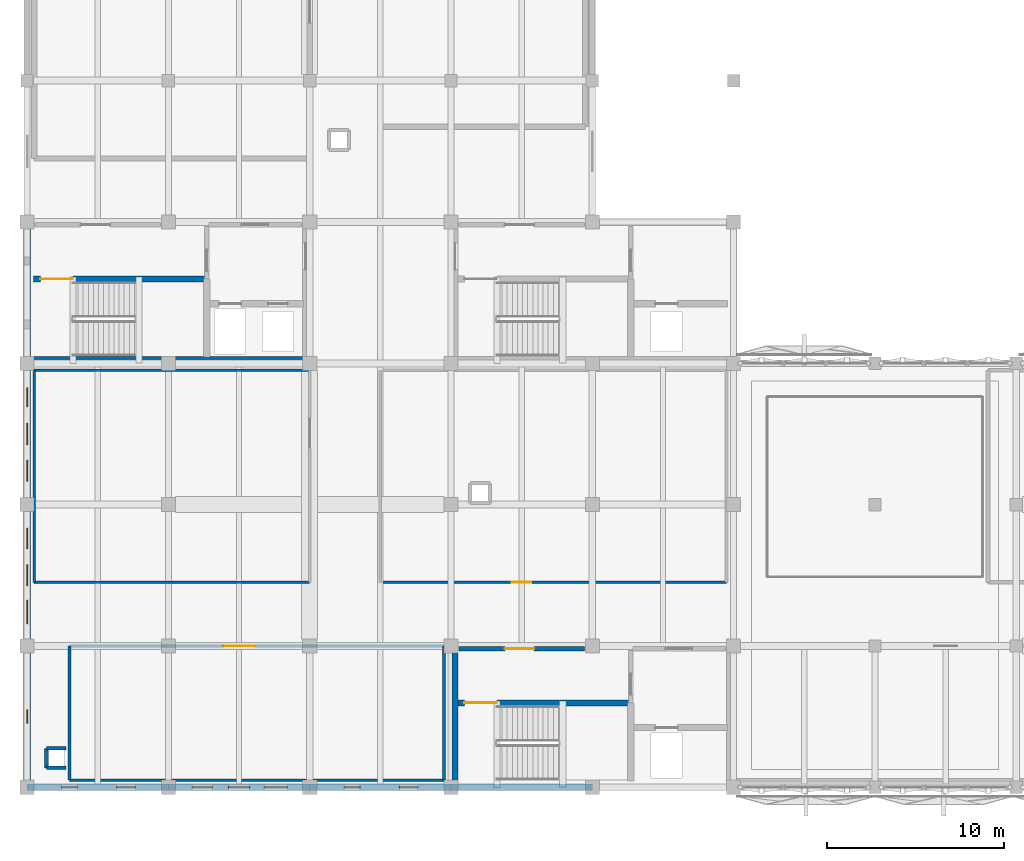
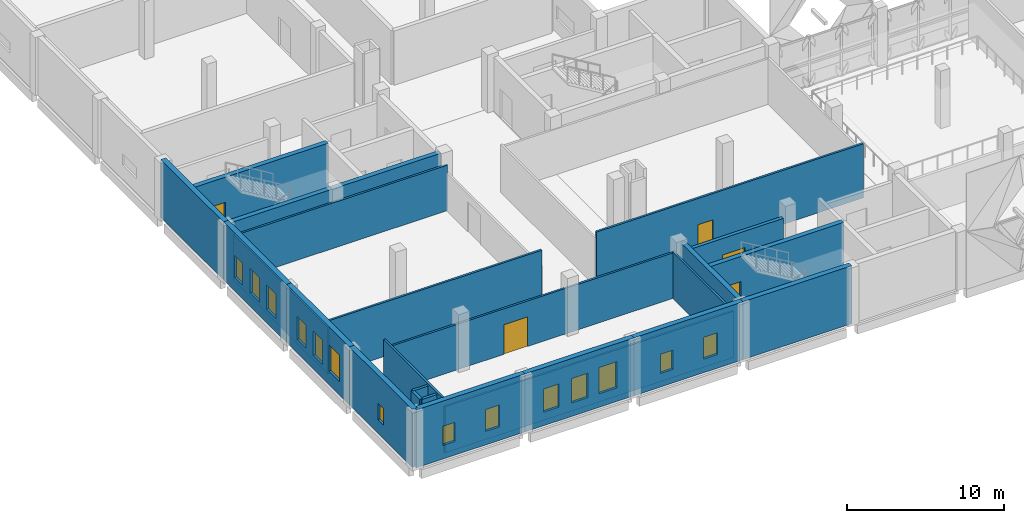
# One storey, part 21 of 37: 24 walls, 14 windows, 5 doors, 19 openings.
"""IFC4 building model written with IfcOpenShell, lengths in metres."""

from ifc_helpers import new_model, si_unit, direction, frame, frame_2d, origin, place, context, subcontext, project, spatial, rectangle, extrude, material, layer, layer_set, type_object, element, fill, save


model = new_model("IFC4")

# Units and contexts
model_context = context("Model", 3, precision=1e-05, world=origin(), true_north=direction((0.0, 1.0)))
body_context = subcontext(model_context, "Body", "Model", "MODEL_VIEW")
ifc_project = project(units=[si_unit("LENGTHUNIT", "METRE"), si_unit("AREAUNIT", "SQUARE_METRE"), si_unit("VOLUMEUNIT", "CUBIC_METRE"), si_unit("PLANEANGLEUNIT", "RADIAN"), si_unit("MASSUNIT", "GRAM", prefix="KILO")], contexts=[model_context])

# Site, building, storey
site_placement = place(None, origin())
site = spatial("IfcSite", under=ifc_project, at=site_placement, CompositionType="ELEMENT")
building_placement = place(site_placement, origin())
building = spatial("IfcBuilding", under=site, at=building_placement, Name="Qorikala Patio Media Centre", CompositionType="ELEMENT")
storey_placement = place(building_placement, frame((0.0, 0.0, 14.39990234375)))
storey = spatial("IfcBuildingStorey", under=building, at=storey_placement, Name="L03", CompositionType="ELEMENT", Elevation=14.39990234375)

# Wall
ifc_material_1 = material(Name="Concrete C35/45", Category="concrete")
ifc_layer_1 = layer(ifc_material_1, 0.35009765625)
ifc_layer_set_1 = layer_set([ifc_layer_1], Name="Concrete C35/45")
wall_type_1 = type_object("IfcWallType", Name="WL-CORE-350", PredefinedType="SHEAR", material=ifc_layer_set_1)
wall_1_placement = place(storey_placement, frame((27.22509765625, 3.199951171875, 0.0), z_axis=(0.0, 0.0, 1.0), x_axis=(0.0, 1.0, 0.0)))
element("IfcWall", 1, at=wall_1_placement, inside=storey, type_object=wall_type_1, Name="L03 Interior Wall CW-L03-C1-SW", PredefinedType="SHEAR", context=body_context, shape_type="SweptSolid", body=[
    extrude(rectangle(XDim=7.60009765625, YDim=0.35009765625, at=frame_2d((3.800048828125, 0.0))), origin(), (0.0, 0.0, 1.0), 4.2001953125),
])

# Wall, opening, door
wall_2_placement = place(storey_placement, frame((27.35009765625, 7.77490234375, 0.0), z_axis=(0.0, 0.0, 1.0), x_axis=(1.0, 0.0, 0.0)))
wall_2 = element("IfcWall", 2, at=wall_2_placement, inside=storey, type_object=wall_type_1, Name="L03 Interior Wall CW-L03-C1-SN", PredefinedType="SHEAR", context=body_context, shape_type="SweptSolid", body=[
    extrude(rectangle(XDim=9.824951171875, YDim=0.35009765625, at=frame_2d((4.91259765625, 0.0))), origin(), (0.0, 0.0, 1.0), 4.2001953125),
])
opening_1_placement = place(wall_2_placement, frame((0.39990234375, 0.0, 0.0)))
opening_1 = element("IfcOpeningElement", 3, at=opening_1_placement, cuts=wall_2, Name="Opening D039", PredefinedType="OPENING", context=body_context, shape_type="SweptSolid", body=[
    extrude(rectangle(XDim=1.85009765625, YDim=2.25, at=frame_2d((0.925048828125, 1.125))), frame((0.0, 0.18505859375, 0.0), z_axis=(0.0, -1.0, 0.0), x_axis=(1.0, 0.0, 0.0)), (0.0, 0.0, 1.0), 0.3701171875),
])
ifc_material_2 = material(Name="Powder-Coated Acoustic Fire Steel", Category="steel")
door_type_1 = type_object("IfcDoorType", Name="DR-FD60-185X225", OperationType="DOUBLE_DOOR_SINGLE_SWING", PredefinedType="DOOR", material=ifc_material_2)
door_1_placement = place(opening_1_placement, origin())
door_1 = element("IfcDoor", 4, at=door_1_placement, inside=storey, type_object=door_type_1, Name="L03 Stair ST-1 Fire Door", OperationType="DOUBLE_DOOR_SINGLE_SWING", OverallHeight=2.25, OverallWidth=1.85009765625, PredefinedType="DOOR", context=body_context, shape_type="SweptSolid", body=[
    extrude(rectangle(XDim=1.85009765625, YDim=2.25, at=frame_2d((0.925048828125, 1.125))), frame((0.0, 0.02490234375, 0.0), z_axis=(0.0, -1.0, 0.0), x_axis=(1.0, 0.0, 0.0)), (0.0, 0.0, 1.0), 0.050048828125),
])
fill(opening_1, door_1)

# Wall
wall_3_placement = place(storey_placement, frame((3.199951171875, 27.22509765625, 0.0), z_axis=(0.0, 0.0, 1.0), x_axis=(1.0, 0.0, 0.0)))
element("IfcWall", 5, at=wall_3_placement, inside=storey, type_object=wall_type_1, Name="L03 Core C2 Stair South Wall", PredefinedType="SHEAR", context=body_context, shape_type="SweptSolid", body=[
    extrude(rectangle(XDim=15.60009765625, YDim=0.35009765625, at=frame_2d((7.800048828125, 0.0))), origin(), (0.0, 0.0, 1.0), 4.2001953125),
])

# Wall, opening, door
wall_4_placement = place(storey_placement, frame((3.35009765625, 31.77490234375, 0.0), z_axis=(0.0, 0.0, 1.0), x_axis=(1.0, 0.0, 0.0)))
wall_4 = element("IfcWall", 6, at=wall_4_placement, inside=storey, type_object=wall_type_1, Name="L03 Interior Wall CW-L03-C2-SN", PredefinedType="SHEAR", context=body_context, shape_type="SweptSolid", body=[
    extrude(rectangle(XDim=9.824951171875, YDim=0.35009765625, at=frame_2d((4.91259765625, 0.0))), origin(), (0.0, 0.0, 1.0), 4.2001953125),
])
opening_2_placement = place(wall_4_placement, frame((0.39990234375, 0.0, 0.0)))
opening_2 = element("IfcOpeningElement", 7, at=opening_2_placement, cuts=wall_4, Name="Opening D075", PredefinedType="OPENING", context=body_context, shape_type="SweptSolid", body=[
    extrude(rectangle(XDim=1.85009765625, YDim=2.25, at=frame_2d((0.925048828125, 1.125))), frame((0.0, 0.18505859375, 0.0), z_axis=(0.0, -1.0, 0.0), x_axis=(1.0, 0.0, 0.0)), (0.0, 0.0, 1.0), 0.3701171875),
])
door_2_placement = place(opening_2_placement, origin())
door_2 = element("IfcDoor", 8, at=door_2_placement, inside=storey, type_object=door_type_1, Name="L03 Stair ST-2 Fire Door", OperationType="DOUBLE_DOOR_SINGLE_SWING", OverallHeight=2.25, OverallWidth=1.85009765625, PredefinedType="DOOR", context=body_context, shape_type="SweptSolid", body=[
    extrude(rectangle(XDim=1.85009765625, YDim=2.25, at=frame_2d((0.925048828125, 1.125))), frame((0.0, 0.02490234375, 0.0), z_axis=(0.0, -1.0, 0.0), x_axis=(1.0, 0.0, 0.0)), (0.0, 0.0, 1.0), 0.050048828125),
])
fill(opening_2, door_2)

ifc_layer_2 = layer(ifc_material_1, 0.25)
ifc_layer_set_2 = layer_set([ifc_layer_2], Name="Concrete C35/45")
wall_type_2 = type_object("IfcWallType", Name="WL-FFL-250", PredefinedType="PARTITIONING", material=ifc_layer_set_2)
wall_5_placement = place(storey_placement, frame((27.449951171875, 10.85009765625, 0.0), z_axis=(0.0, 0.0, 1.0), x_axis=(1.0, 0.0, 0.0)))
wall_5 = element("IfcWall", 9, at=wall_5_placement, inside=storey, type_object=wall_type_2, Name="L03 Interior Wall CW-L03-C1-CN1", PredefinedType="PARTITIONING", context=body_context, shape_type="SweptSolid", body=[
    extrude(rectangle(XDim=7.10009765625, YDim=0.25, at=frame_2d((3.550048828125, 0.0))), origin(), (0.0, 0.0, 1.0), 3.53515625),
])
opening_3_placement = place(wall_5_placement, frame((2.60009765625, 0.0, 0.0)))
opening_3 = element("IfcOpeningElement", 10, at=opening_3_placement, cuts=wall_5, Name="Opening D041", PredefinedType="OPENING", context=body_context, shape_type="SweptSolid", body=[
    extrude(rectangle(XDim=1.64990234375, YDim=2.25, at=frame_2d((0.824951171875, 1.125))), frame((0.0, 0.135009765625, 0.0), z_axis=(0.0, -1.0, 0.0), x_axis=(1.0, 0.0, 0.0)), (0.0, 0.0, 1.0), 0.27001953125),
])
door_type_2 = type_object("IfcDoorType", Name="DR-FD60-165X225", OperationType="DOUBLE_DOOR_SINGLE_SWING", PredefinedType="DOOR", material=ifc_material_2)
door_3_placement = place(opening_3_placement, frame((1.64990234375, 0.0, 0.0), z_axis=(0.0, 0.0, 1.0), x_axis=(-1.0, 0.0, 0.0)))
door_3 = element("IfcDoor", 11, at=door_3_placement, inside=storey, type_object=door_type_2, Name="L03 Core C1 Vestibule Door", OperationType="DOUBLE_DOOR_SINGLE_SWING", OverallHeight=2.25, OverallWidth=1.64990234375, PredefinedType="DOOR", context=body_context, shape_type="SweptSolid", body=[
    extrude(rectangle(XDim=1.64990234375, YDim=2.25, at=frame_2d((0.824951171875, 1.125))), frame((0.0, 0.02490234375, 0.0), z_axis=(0.0, -1.0, 0.0), x_axis=(1.0, 0.0, 0.0)), (0.0, 0.0, 1.0), 0.050048828125),
])
fill(opening_3, door_3)

# Walls
ifc_material_3 = material(Name="Acoustic Gypsum Stud Partition")
ifc_layer_3 = layer(ifc_material_3, 0.14990234375)
ifc_layer_set_3 = layer_set([ifc_layer_3], Name="Acoustic Gypsum Stud Partition")
wall_type_3 = type_object("IfcWallType", Name="WL-PT-150", PredefinedType="PARTITIONING", material=ifc_layer_set_3)
wall_6_placement = place(storey_placement, frame((5.39990234375, 3.39990234375, 0.0), z_axis=(0.0, 0.0, 1.0), x_axis=(1.0, 0.0, 0.0)))
element("IfcWall", 12, at=wall_6_placement, inside=storey, type_object=wall_type_3, Name="L03 Interior Wall WINT-L03-SEM1-S", PredefinedType="PARTITIONING", context=body_context, shape_type="SweptSolid", body=[
    extrude(rectangle(XDim=21.2001953125, YDim=0.14990234375, at=frame_2d((10.60009765625, 0.0))), origin(), (0.0, 0.0, 1.0), 3.60498046875),
])
wall_7_placement = place(storey_placement, frame((26.60009765625, 3.39990234375, 0.0), z_axis=(0.0, 0.0, 1.0), x_axis=(0.0, 1.0, 0.0)))
element("IfcWall", 13, at=wall_7_placement, inside=storey, type_object=wall_type_3, Name="L03 Interior Wall WINT-L03-SEM1-E", PredefinedType="PARTITIONING", context=body_context, shape_type="SweptSolid", body=[
    extrude(rectangle(XDim=7.60009765625, YDim=0.14990234375, at=frame_2d((3.800048828125, 0.0))), origin(), (0.0, 0.0, 1.0), 3.585205078125),
])

# Wall, opening, door
wall_8_placement = place(storey_placement, frame((5.39990234375, 11.0, 0.0), z_axis=(0.0, 0.0, 1.0), x_axis=(1.0, 0.0, 0.0)))
wall_8 = element("IfcWall", 14, at=wall_8_placement, inside=storey, type_object=wall_type_3, Name="L03 Interior Wall WINT-L03-SEM1-N", PredefinedType="PARTITIONING", context=body_context, shape_type="SweptSolid", body=[
    extrude(rectangle(XDim=21.2001953125, YDim=0.14990234375, at=frame_2d((10.60009765625, 0.0))), origin(), (0.0, 0.0, 1.0), 3.53515625),
])
opening_4_placement = place(wall_8_placement, frame((8.717041015625, 0.0, 0.0)))
opening_4 = element("IfcOpeningElement", 15, at=opening_4_placement, cuts=wall_8, Name="Opening D284", PredefinedType="OPENING", context=body_context, shape_type="SweptSolid", body=[
    extrude(rectangle(XDim=1.75, YDim=2.300048828125, at=frame_2d((0.875, 1.14990234375))), frame((0.0, 0.0849609375, 0.0), z_axis=(0.0, -1.0, 0.0), x_axis=(1.0, 0.0, 0.0)), (0.0, 0.0, 1.0), 0.169921875),
])
ifc_material_4 = material(Name="Solid Andean Cedar Timber", Category="wood")
door_type_3 = type_object("IfcDoorType", Name="DR-IN-175X230", OperationType="DOUBLE_DOOR_SINGLE_SWING", PredefinedType="DOOR", material=ifc_material_4)
door_4_placement = place(opening_4_placement, origin())
door_4 = element("IfcDoor", 16, at=door_4_placement, inside=storey, type_object=door_type_3, Name="Film Studies Seminar Room 1 Door 073", OperationType="DOUBLE_DOOR_SINGLE_SWING", OverallHeight=2.300048828125, OverallWidth=1.75, PredefinedType="DOOR", context=body_context, shape_type="SweptSolid", body=[
    extrude(rectangle(XDim=1.75, YDim=2.300048828125, at=frame_2d((0.875, 1.14990234375))), frame((0.0, 0.02490234375, 0.0), z_axis=(0.0, -1.0, 0.0), x_axis=(1.0, 0.0, 0.0)), (0.0, 0.0, 1.0), 0.050048828125),
])
fill(opening_4, door_4)

# Walls
wall_9_placement = place(storey_placement, frame((5.39990234375, 3.39990234375, 0.0), z_axis=(0.0, 0.0, 1.0), x_axis=(0.0, 1.0, 0.0)))
element("IfcWall", 17, at=wall_9_placement, inside=storey, type_object=wall_type_3, Name="L03 Interior Wall WINT-L03-SEM1-W", PredefinedType="PARTITIONING", context=body_context, shape_type="SweptSolid", body=[
    extrude(rectangle(XDim=7.60009765625, YDim=0.14990234375, at=frame_2d((3.800048828125, 0.0))), origin(), (0.0, 0.0, 1.0), 4.2001953125),
])
wall_10_placement = place(storey_placement, frame((3.39990234375, 14.60009765625, 0.0), z_axis=(0.0, 0.0, 1.0), x_axis=(1.0, 0.0, 0.0)))
element("IfcWall", 18, at=wall_10_placement, inside=storey, type_object=wall_type_3, Name="L03 Interior Wall WINT-L03-SEM2-S", PredefinedType="PARTITIONING", context=body_context, shape_type="SweptSolid", body=[
    extrude(rectangle(XDim=15.60009765625, YDim=0.14990234375, at=frame_2d((7.800048828125, 0.0))), origin(), (0.0, 0.0, 1.0), 4.2001953125),
])
wall_11_placement = place(storey_placement, frame((3.39990234375, 26.60009765625, 0.0), z_axis=(0.0, 0.0, 1.0), x_axis=(1.0, 0.0, 0.0)))
element("IfcWall", 19, at=wall_11_placement, inside=storey, type_object=wall_type_3, Name="L03 Interior Wall WINT-L03-SEM2-N", PredefinedType="PARTITIONING", context=body_context, shape_type="SweptSolid", body=[
    extrude(rectangle(XDim=15.60009765625, YDim=0.14990234375, at=frame_2d((7.800048828125, 0.0))), origin(), (0.0, 0.0, 1.0), 3.53515625),
])
wall_12_placement = place(storey_placement, frame((3.39990234375, 14.60009765625, 0.0), z_axis=(0.0, 0.0, 1.0), x_axis=(0.0, 1.0, 0.0)))
element("IfcWall", 20, at=wall_12_placement, inside=storey, type_object=wall_type_3, Name="L03 Interior Wall WINT-L03-SEM2-W", PredefinedType="PARTITIONING", context=body_context, shape_type="SweptSolid", body=[
    extrude(rectangle(XDim=12.0, YDim=0.14990234375, at=frame_2d((6.0, 0.0))), origin(), (0.0, 0.0, 1.0), 3.60498046875),
])

# Wall, opening, door
wall_13_placement = place(storey_placement, frame((23.0, 14.60009765625, 0.0), z_axis=(0.0, 0.0, 1.0), x_axis=(1.0, 0.0, 0.0)))
wall_13 = element("IfcWall", 21, at=wall_13_placement, inside=storey, type_object=wall_type_3, Name="L03 Interior Wall WINT-L03-ED31-S", PredefinedType="PARTITIONING", context=body_context, shape_type="SweptSolid", body=[
    extrude(rectangle(XDim=19.60009765625, YDim=0.14990234375, at=frame_2d((9.800048828125, 0.0))), origin(), (0.0, 0.0, 1.0), 4.2001953125),
])
opening_5_placement = place(wall_13_placement, frame((7.43994140625, 0.0, 0.0)))
opening_5 = element("IfcOpeningElement", 22, at=opening_5_placement, cuts=wall_13, Name="Opening D286", PredefinedType="OPENING", context=body_context, shape_type="SweptSolid", body=[
    extrude(rectangle(XDim=1.10009765625, YDim=2.159912109375, at=frame_2d((0.550048828125, 1.080078125))), frame((0.0, 0.0849609375, 0.0), z_axis=(0.0, -1.0, 0.0), x_axis=(1.0, 0.0, 0.0)), (0.0, 0.0, 1.0), 0.169921875),
])
ifc_material_5 = material(Name="Solid Oak Timber", Category="wood")
door_type_4 = type_object("IfcDoorType", Name="DR-IN-110X216", OperationType="NOTDEFINED", PredefinedType="DOOR", material=ifc_material_5)
door_5_placement = place(opening_5_placement, origin())
door_5 = element("IfcDoor", 23, at=door_5_placement, inside=storey, type_object=door_type_4, Name="Editing Suite 301 Door 075", OperationType="SINGLE_SWING_LEFT", OverallHeight=2.159912109375, OverallWidth=1.10009765625, PredefinedType="DOOR", context=body_context, shape_type="SweptSolid", body=[
    extrude(rectangle(XDim=1.10009765625, YDim=2.159912109375, at=frame_2d((0.550048828125, 1.080078125))), frame((0.0, 0.02490234375, 0.0), z_axis=(0.0, -1.0, 0.0), x_axis=(1.0, 0.0, 0.0)), (0.0, 0.0, 1.0), 0.050048828125),
])
fill(opening_5, door_5)

# Walls
ifc_material_6 = material(Name="Acoustic Masonry and Plaster Concrete C30/37", Category="masonry")
ifc_layer_4 = layer(ifc_material_6, 0.199951171875)
ifc_layer_set_4 = layer_set([ifc_layer_4], Name="Acoustic Masonry and Plaster Concrete C30/37")
wall_type_4 = type_object("IfcWallType", Name="WL-ST-200", PredefinedType="PARTITIONING", material=ifc_layer_set_4)
for number, where, z_axis, x_axis, name in (
    (24, (4.10009765625, 4.10009765625, 0.0), (0.0, 0.0, 1.0), (1.0, 0.0, 0.0), "L03 Interior Wall RSW-1-L03-S"),
    (25, (4.10009765625, 5.199951171875, 0.0), (0.0, 0.0, 1.0), (1.0, 0.0, 0.0), "L03 Interior Wall RSW-1-L03-N"),
    (26, (4.10009765625, 4.10009765625, 0.0), (0.0, 0.0, 1.0), (0.0, 1.0, 0.0), "L03 Interior Wall RSW-1-L03-W"),
):
    element("IfcWall", number, at=place(storey_placement, frame(where, z_axis=z_axis, x_axis=x_axis)), inside=storey, type_object=wall_type_4, Name=name, PredefinedType="PARTITIONING", context=body_context, shape_type="SweptSolid", body=[
        extrude(rectangle(XDim=1.099853515625, YDim=0.199951171875, at=frame_2d((0.5498046875, 0.0))), origin(), (0.0, 0.0, 1.0), 4.2001953125),
    ])
ifc_material_7 = material(Name="Comanche Granite and Concrete C35/45", Category="masonry")
ifc_layer_5 = layer(ifc_material_7, 0.3798828125)
ifc_layer_set_5 = layer_set([ifc_layer_5], Name="Comanche Granite and Concrete C35/45")
wall_type_5 = type_object("IfcWallType", Name="WL-STONE-380", PredefinedType="SOLIDWALL", material=ifc_layer_set_5)
wall_14_placement = place(storey_placement, frame((35.0, 3.0, 0.0), z_axis=(0.0, 0.0, 1.0), x_axis=(-1.0, 0.0, 0.0)))
element("IfcWall", 27, at=wall_14_placement, inside=storey, type_object=wall_type_5, Name="L03 Core C1 Exterior Shear Wall", PredefinedType="SOLIDWALL", context=body_context, shape_type="SweptSolid", body=[
    extrude(rectangle(XDim=8.0, YDim=0.3798828125, at=frame_2d((4.0, 0.0))), origin(), (0.0, 0.0, 1.0), 4.5),
])

# Wall, openings, windows
wall_15_placement = place(storey_placement, frame((27.0, 3.0, 0.0), z_axis=(0.0, 0.0, 1.0), x_axis=(-1.0, 0.0, 0.0)))
wall_15 = element("IfcWall", 28, at=wall_15_placement, inside=storey, type_object=wall_type_5, Name="L03 Exterior Wall WL-L03-EXT-0006", PredefinedType="SOLIDWALL", context=body_context, shape_type="SweptSolid", body=[
    extrude(rectangle(XDim=8.0, YDim=0.3798828125, at=frame_2d((4.0, 0.0))), origin(), (0.0, 0.0, 1.0), 4.5),
])
opening_6_placement = place(wall_15_placement, frame((1.875, 0.0, 1.050048828125)))
opening_6 = element("IfcOpeningElement", 29, at=opening_6_placement, cuts=wall_15, Name="Opening WG-105", PredefinedType="OPENING", context=body_context, shape_type="SweptSolid", body=[
    extrude(rectangle(XDim=1.050048828125, YDim=1.699951171875, at=frame_2d((0.52490234375, 0.85009765625))), frame((0.0, 0.199951171875, 0.0), z_axis=(0.0, -1.0, 0.0), x_axis=(1.0, 0.0, 0.0)), (0.0, 0.0, 1.0), 0.39990234375),
])
opening_7_placement = place(wall_15_placement, frame((5.14990234375, 0.0, 1.050048828125)))
opening_7 = element("IfcOpeningElement", 30, at=opening_7_placement, cuts=wall_15, Name="Opening WG-090", PredefinedType="OPENING", context=body_context, shape_type="SweptSolid", body=[
    extrude(rectangle(XDim=0.89990234375, YDim=1.5, at=frame_2d((0.449951171875, 0.75))), frame((0.0, 0.199951171875, 0.0), z_axis=(0.0, -1.0, 0.0), x_axis=(1.0, 0.0, 0.0)), (0.0, 0.0, 1.0), 0.39990234375),
])
ifc_material_8 = material(Name="Bronze Anodised Aluminium and Low-E Glass", Category="aluminium")
window_type_1 = type_object("IfcWindowType", Name="WN-GRAD-090X150", PartitioningType="SINGLE_PANEL", PredefinedType="WINDOW", material=ifc_material_8)
window_1_placement = place(opening_7_placement, origin())
window_1 = element("IfcWindow", 31, at=window_1_placement, inside=storey, type_object=window_type_1, Name="L03 Graduated Stone Window 0182", OverallHeight=1.5, OverallWidth=0.89990234375, PartitioningType="SINGLE_PANEL", PredefinedType="WINDOW", context=body_context, shape_type="SweptSolid", body=[
    extrude(rectangle(XDim=0.89990234375, YDim=1.5, at=frame_2d((0.449951171875, 0.75))), frame((0.0, 0.030029296875, 0.0), z_axis=(0.0, -1.0, 0.0), x_axis=(1.0, 0.0, 0.0)), (0.0, 0.0, 1.0), 0.06005859375),
])
fill(opening_7, window_1)
window_type_2 = type_object("IfcWindowType", Name="WN-GRAD-105X170", PartitioningType="SINGLE_PANEL", PredefinedType="WINDOW", material=ifc_material_8)
window_2_placement = place(opening_6_placement, origin())
window_2 = element("IfcWindow", 32, at=window_2_placement, inside=storey, type_object=window_type_2, Name="L03 Graduated Stone Window 0181", OverallHeight=1.699951171875, OverallWidth=1.050048828125, PartitioningType="SINGLE_PANEL", PredefinedType="WINDOW", context=body_context, shape_type="SweptSolid", body=[
    extrude(rectangle(XDim=1.050048828125, YDim=1.699951171875, at=frame_2d((0.52490234375, 0.85009765625))), frame((0.0, 0.030029296875, 0.0), z_axis=(0.0, -1.0, 0.0), x_axis=(1.0, 0.0, 0.0)), (0.0, 0.0, 1.0), 0.06005859375),
])
fill(opening_6, window_2)

wall_16_placement = place(storey_placement, frame((19.0, 3.0, 0.0), z_axis=(0.0, 0.0, 1.0), x_axis=(-1.0, 0.0, 0.0)))
wall_16 = element("IfcWall", 33, at=wall_16_placement, inside=storey, type_object=wall_type_5, Name="L03 Exterior Wall WL-L03-EXT-0007", PredefinedType="SOLIDWALL", context=body_context, shape_type="SweptSolid", body=[
    extrude(rectangle(XDim=8.0, YDim=0.3798828125, at=frame_2d((4.0, 0.0))), origin(), (0.0, 0.0, 1.0), 4.5),
])
opening_8_placement = place(wall_16_placement, frame((1.260009765625, 0.0, 1.050048828125)))
opening_8 = element("IfcOpeningElement", 34, at=opening_8_placement, cuts=wall_16, Name="Opening WG-132", PredefinedType="OPENING", context=body_context, shape_type="SweptSolid", body=[
    extrude(rectangle(XDim=1.320068359375, YDim=2.050048828125, at=frame_2d((0.66015625, 1.02490234375))), frame((0.0, 0.199951171875, 0.0), z_axis=(0.0, -1.0, 0.0), x_axis=(1.0, 0.0, 0.0)), (0.0, 0.0, 1.0), 0.39990234375),
])
opening_9_placement = place(wall_16_placement, frame((3.39990234375, 0.0, 1.050048828125)))
opening_9 = element("IfcOpeningElement", 35, at=opening_9_placement, cuts=wall_16, Name="Opening WG-120", PredefinedType="OPENING", context=body_context, shape_type="SweptSolid", body=[
    extrude(rectangle(XDim=1.199951171875, YDim=1.89990234375, at=frame_2d((0.60009765625, 0.949951171875))), frame((0.0, 0.199951171875, 0.0), z_axis=(0.0, -1.0, 0.0), x_axis=(1.0, 0.0, 0.0)), (0.0, 0.0, 1.0), 0.39990234375),
])
opening_10_placement = place(wall_16_placement, frame((5.510009765625, 0.0, 1.050048828125)))
opening_10 = element("IfcOpeningElement", 36, at=opening_10_placement, cuts=wall_16, Name="Opening WG-114", PredefinedType="OPENING", context=body_context, shape_type="SweptSolid", body=[
    extrude(rectangle(XDim=1.139892578125, YDim=1.800048828125, at=frame_2d((0.56982421875, 0.89990234375))), frame((0.0, 0.199951171875, 0.0), z_axis=(0.0, -1.0, 0.0), x_axis=(1.0, 0.0, 0.0)), (0.0, 0.0, 1.0), 0.39990234375),
])
window_type_3 = type_object("IfcWindowType", Name="WN-GRAD-114X180", PartitioningType="SINGLE_PANEL", PredefinedType="WINDOW", material=ifc_material_8)
window_3_placement = place(opening_10_placement, origin())
window_3 = element("IfcWindow", 37, at=window_3_placement, inside=storey, type_object=window_type_3, Name="L03 Graduated Stone Window 0185", OverallHeight=1.800048828125, OverallWidth=1.139892578125, PartitioningType="SINGLE_PANEL", PredefinedType="WINDOW", context=body_context, shape_type="SweptSolid", body=[
    extrude(rectangle(XDim=1.139892578125, YDim=1.800048828125, at=frame_2d((0.56982421875, 0.89990234375))), frame((0.0, 0.030029296875, 0.0), z_axis=(0.0, -1.0, 0.0), x_axis=(1.0, 0.0, 0.0)), (0.0, 0.0, 1.0), 0.06005859375),
])
fill(opening_10, window_3)
window_type_4 = type_object("IfcWindowType", Name="WN-GRAD-120X190", PartitioningType="SINGLE_PANEL", PredefinedType="WINDOW", material=ifc_material_8)
window_4_placement = place(opening_9_placement, origin())
window_4 = element("IfcWindow", 38, at=window_4_placement, inside=storey, type_object=window_type_4, Name="L03 Graduated Stone Window 0184", OverallHeight=1.89990234375, OverallWidth=1.199951171875, PartitioningType="SINGLE_PANEL", PredefinedType="WINDOW", context=body_context, shape_type="SweptSolid", body=[
    extrude(rectangle(XDim=1.199951171875, YDim=1.89990234375, at=frame_2d((0.60009765625, 0.949951171875))), frame((0.0, 0.030029296875, 0.0), z_axis=(0.0, -1.0, 0.0), x_axis=(1.0, 0.0, 0.0)), (0.0, 0.0, 1.0), 0.06005859375),
])
fill(opening_9, window_4)
window_type_5 = type_object("IfcWindowType", Name="WN-GRAD-132X205", PartitioningType="SINGLE_PANEL", PredefinedType="WINDOW", material=ifc_material_8)
window_5_placement = place(opening_8_placement, origin())
window_5 = element("IfcWindow", 39, at=window_5_placement, inside=storey, type_object=window_type_5, Name="L03 Graduated Stone Window 0183", OverallHeight=2.050048828125, OverallWidth=1.320068359375, PartitioningType="SINGLE_PANEL", PredefinedType="WINDOW", context=body_context, shape_type="SweptSolid", body=[
    extrude(rectangle(XDim=1.320068359375, YDim=2.050048828125, at=frame_2d((0.66015625, 1.02490234375))), frame((0.0, 0.030029296875, 0.0), z_axis=(0.0, -1.0, 0.0), x_axis=(1.0, 0.0, 0.0)), (0.0, 0.0, 1.0), 0.06005859375),
])
fill(opening_8, window_5)

wall_17_placement = place(storey_placement, frame((11.0, 3.0, 0.0), z_axis=(0.0, 0.0, 1.0), x_axis=(-1.0, 0.0, 0.0)))
wall_17 = element("IfcWall", 40, at=wall_17_placement, inside=storey, type_object=wall_type_5, Name="L03 Exterior Wall WL-L03-EXT-0008", PredefinedType="SOLIDWALL", context=body_context, shape_type="SweptSolid", body=[
    extrude(rectangle(XDim=8.0, YDim=0.3798828125, at=frame_2d((4.0, 0.0))), origin(), (0.0, 0.0, 1.0), 4.5),
])
opening_11_placement = place(wall_17_placement, frame((1.875, 0.0, 1.050048828125)))
opening_11 = element("IfcOpeningElement", 41, at=opening_11_placement, cuts=wall_17, Name="Opening WG-105", PredefinedType="OPENING", context=body_context, shape_type="SweptSolid", body=[
    extrude(rectangle(XDim=1.050048828125, YDim=1.699951171875, at=frame_2d((0.52490234375, 0.85009765625))), frame((0.0, 0.199951171875, 0.0), z_axis=(0.0, -1.0, 0.0), x_axis=(1.0, 0.0, 0.0)), (0.0, 0.0, 1.0), 0.39990234375),
])
opening_12_placement = place(wall_17_placement, frame((5.14990234375, 0.0, 1.050048828125)))
opening_12 = element("IfcOpeningElement", 42, at=opening_12_placement, cuts=wall_17, Name="Opening WG-090", PredefinedType="OPENING", context=body_context, shape_type="SweptSolid", body=[
    extrude(rectangle(XDim=0.89990234375, YDim=1.5, at=frame_2d((0.449951171875, 0.75))), frame((0.0, 0.199951171875, 0.0), z_axis=(0.0, -1.0, 0.0), x_axis=(1.0, 0.0, 0.0)), (0.0, 0.0, 1.0), 0.39990234375),
])
window_6_placement = place(opening_12_placement, origin())
window_6 = element("IfcWindow", 43, at=window_6_placement, inside=storey, type_object=window_type_1, Name="L03 Graduated Stone Window 0187", OverallHeight=1.5, OverallWidth=0.89990234375, PartitioningType="SINGLE_PANEL", PredefinedType="WINDOW", context=body_context, shape_type="SweptSolid", body=[
    extrude(rectangle(XDim=0.89990234375, YDim=1.5, at=frame_2d((0.449951171875, 0.75))), frame((0.0, 0.030029296875, 0.0), z_axis=(0.0, -1.0, 0.0), x_axis=(1.0, 0.0, 0.0)), (0.0, 0.0, 1.0), 0.06005859375),
])
fill(opening_12, window_6)
window_7_placement = place(opening_11_placement, origin())
window_7 = element("IfcWindow", 44, at=window_7_placement, inside=storey, type_object=window_type_2, Name="L03 Graduated Stone Window 0186", OverallHeight=1.699951171875, OverallWidth=1.050048828125, PartitioningType="SINGLE_PANEL", PredefinedType="WINDOW", context=body_context, shape_type="SweptSolid", body=[
    extrude(rectangle(XDim=1.050048828125, YDim=1.699951171875, at=frame_2d((0.52490234375, 0.85009765625))), frame((0.0, 0.030029296875, 0.0), z_axis=(0.0, -1.0, 0.0), x_axis=(1.0, 0.0, 0.0)), (0.0, 0.0, 1.0), 0.06005859375),
])
fill(opening_11, window_7)

# Wall, opening, window
wall_18_placement = place(storey_placement, frame((3.0, 3.0, 0.0), z_axis=(0.0, 0.0, 1.0), x_axis=(0.0, 1.0, 0.0)))
wall_18 = element("IfcWall", 45, at=wall_18_placement, inside=storey, type_object=wall_type_5, Name="L03 Exterior Wall WL-L03-EXT-0009", PredefinedType="SOLIDWALL", context=body_context, shape_type="SweptSolid", body=[
    extrude(rectangle(XDim=8.0, YDim=0.3798828125, at=frame_2d((4.0, 0.0))), origin(), (0.0, 0.0, 1.0), 4.5),
])
opening_13_placement = place(wall_18_placement, frame((3.625, 0.0, 1.050048828125)))
opening_13 = element("IfcOpeningElement", 46, at=opening_13_placement, cuts=wall_18, Name="Opening WG-075", PredefinedType="OPENING", context=body_context, shape_type="SweptSolid", body=[
    extrude(rectangle(XDim=0.75, YDim=1.300048828125, at=frame_2d((0.375, 0.64990234375))), frame((0.0, 0.199951171875, 0.0), z_axis=(0.0, -1.0, 0.0), x_axis=(1.0, 0.0, 0.0)), (0.0, 0.0, 1.0), 0.39990234375),
])
window_type_6 = type_object("IfcWindowType", Name="WN-GRAD-075X130", PartitioningType="SINGLE_PANEL", PredefinedType="WINDOW", material=ifc_material_8)
window_8_placement = place(opening_13_placement, origin())
window_8 = element("IfcWindow", 47, at=window_8_placement, inside=storey, type_object=window_type_6, Name="L03 Graduated Stone Window 0188", OverallHeight=1.300048828125, OverallWidth=0.75, PartitioningType="SINGLE_PANEL", PredefinedType="WINDOW", context=body_context, shape_type="SweptSolid", body=[
    extrude(rectangle(XDim=0.75, YDim=1.300048828125, at=frame_2d((0.375, 0.64990234375))), frame((0.0, 0.030029296875, 0.0), z_axis=(0.0, -1.0, 0.0), x_axis=(1.0, 0.0, 0.0)), (0.0, 0.0, 1.0), 0.06005859375),
])
fill(opening_13, window_8)

# Wall, openings, windows
wall_19_placement = place(storey_placement, frame((3.0, 11.0, 0.0), z_axis=(0.0, 0.0, 1.0), x_axis=(0.0, 1.0, 0.0)))
wall_19 = element("IfcWall", 48, at=wall_19_placement, inside=storey, type_object=wall_type_5, Name="L03 Exterior Wall WL-L03-EXT-0010", PredefinedType="SOLIDWALL", context=body_context, shape_type="SweptSolid", body=[
    extrude(rectangle(XDim=8.0, YDim=0.3798828125, at=frame_2d((4.0, 0.0))), origin(), (0.0, 0.0, 1.0), 4.5),
])
opening_14_placement = place(wall_19_placement, frame((1.260009765625, 0.0, 1.050048828125)))
opening_14 = element("IfcOpeningElement", 49, at=opening_14_placement, cuts=wall_19, Name="Opening WG-132", PredefinedType="OPENING", context=body_context, shape_type="SweptSolid", body=[
    extrude(rectangle(XDim=1.320068359375, YDim=2.050048828125, at=frame_2d((0.66015625, 1.02490234375))), frame((0.0, 0.199951171875, 0.0), z_axis=(0.0, -1.0, 0.0), x_axis=(1.0, 0.0, 0.0)), (0.0, 0.0, 1.0), 0.39990234375),
])
opening_15_placement = place(wall_19_placement, frame((3.39990234375, 0.0, 1.050048828125)))
opening_15 = element("IfcOpeningElement", 50, at=opening_15_placement, cuts=wall_19, Name="Opening WG-120", PredefinedType="OPENING", context=body_context, shape_type="SweptSolid", body=[
    extrude(rectangle(XDim=1.199951171875, YDim=1.89990234375, at=frame_2d((0.60009765625, 0.949951171875))), frame((0.0, 0.199951171875, 0.0), z_axis=(0.0, -1.0, 0.0), x_axis=(1.0, 0.0, 0.0)), (0.0, 0.0, 1.0), 0.39990234375),
])
opening_16_placement = place(wall_19_placement, frame((5.510009765625, 0.0, 1.050048828125)))
opening_16 = element("IfcOpeningElement", 51, at=opening_16_placement, cuts=wall_19, Name="Opening WG-114", PredefinedType="OPENING", context=body_context, shape_type="SweptSolid", body=[
    extrude(rectangle(XDim=1.139892578125, YDim=1.800048828125, at=frame_2d((0.56982421875, 0.89990234375))), frame((0.0, 0.199951171875, 0.0), z_axis=(0.0, -1.0, 0.0), x_axis=(1.0, 0.0, 0.0)), (0.0, 0.0, 1.0), 0.39990234375),
])
window_9_placement = place(opening_16_placement, origin())
window_9 = element("IfcWindow", 52, at=window_9_placement, inside=storey, type_object=window_type_3, Name="L03 Graduated Stone Window 0191", OverallHeight=1.800048828125, OverallWidth=1.139892578125, PartitioningType="SINGLE_PANEL", PredefinedType="WINDOW", context=body_context, shape_type="SweptSolid", body=[
    extrude(rectangle(XDim=1.139892578125, YDim=1.800048828125, at=frame_2d((0.56982421875, 0.89990234375))), frame((0.0, 0.030029296875, 0.0), z_axis=(0.0, -1.0, 0.0), x_axis=(1.0, 0.0, 0.0)), (0.0, 0.0, 1.0), 0.06005859375),
])
fill(opening_16, window_9)
window_10_placement = place(opening_15_placement, origin())
window_10 = element("IfcWindow", 53, at=window_10_placement, inside=storey, type_object=window_type_4, Name="L03 Graduated Stone Window 0190", OverallHeight=1.89990234375, OverallWidth=1.199951171875, PartitioningType="SINGLE_PANEL", PredefinedType="WINDOW", context=body_context, shape_type="SweptSolid", body=[
    extrude(rectangle(XDim=1.199951171875, YDim=1.89990234375, at=frame_2d((0.60009765625, 0.949951171875))), frame((0.0, 0.030029296875, 0.0), z_axis=(0.0, -1.0, 0.0), x_axis=(1.0, 0.0, 0.0)), (0.0, 0.0, 1.0), 0.06005859375),
])
fill(opening_15, window_10)
window_11_placement = place(opening_14_placement, origin())
window_11 = element("IfcWindow", 54, at=window_11_placement, inside=storey, type_object=window_type_5, Name="L03 Graduated Stone Window 0189", OverallHeight=2.050048828125, OverallWidth=1.320068359375, PartitioningType="SINGLE_PANEL", PredefinedType="WINDOW", context=body_context, shape_type="SweptSolid", body=[
    extrude(rectangle(XDim=1.320068359375, YDim=2.050048828125, at=frame_2d((0.66015625, 1.02490234375))), frame((0.0, 0.030029296875, 0.0), z_axis=(0.0, -1.0, 0.0), x_axis=(1.0, 0.0, 0.0)), (0.0, 0.0, 1.0), 0.06005859375),
])
fill(opening_14, window_11)

wall_20_placement = place(storey_placement, frame((3.0, 19.0, 0.0), z_axis=(0.0, 0.0, 1.0), x_axis=(0.0, 1.0, 0.0)))
wall_20 = element("IfcWall", 55, at=wall_20_placement, inside=storey, type_object=wall_type_5, Name="L03 Exterior Wall WL-L03-EXT-0011", PredefinedType="SOLIDWALL", context=body_context, shape_type="SweptSolid", body=[
    extrude(rectangle(XDim=8.0, YDim=0.3798828125, at=frame_2d((4.0, 0.0))), origin(), (0.0, 0.0, 1.0), 4.5),
])
opening_17_placement = place(wall_20_placement, frame((1.320068359375, 0.0, 1.050048828125)))
opening_17 = element("IfcOpeningElement", 56, at=opening_17_placement, cuts=wall_20, Name="Opening WG-120", PredefinedType="OPENING", context=body_context, shape_type="SweptSolid", body=[
    extrude(rectangle(XDim=1.199951171875, YDim=1.89990234375, at=frame_2d((0.60009765625, 0.949951171875))), frame((0.0, 0.199951171875, 0.0), z_axis=(0.0, -1.0, 0.0), x_axis=(1.0, 0.0, 0.0)), (0.0, 0.0, 1.0), 0.39990234375),
])
opening_18_placement = place(wall_20_placement, frame((3.39990234375, 0.0, 1.050048828125)))
opening_18 = element("IfcOpeningElement", 57, at=opening_18_placement, cuts=wall_20, Name="Opening WG-120", PredefinedType="OPENING", context=body_context, shape_type="SweptSolid", body=[
    extrude(rectangle(XDim=1.199951171875, YDim=1.89990234375, at=frame_2d((0.60009765625, 0.949951171875))), frame((0.0, 0.199951171875, 0.0), z_axis=(0.0, -1.0, 0.0), x_axis=(1.0, 0.0, 0.0)), (0.0, 0.0, 1.0), 0.39990234375),
])
opening_19_placement = place(wall_20_placement, frame((5.554931640625, 0.0, 1.050048828125)))
opening_19 = element("IfcOpeningElement", 58, at=opening_19_placement, cuts=wall_20, Name="Opening WG-105", PredefinedType="OPENING", context=body_context, shape_type="SweptSolid", body=[
    extrude(rectangle(XDim=1.050048828125, YDim=1.699951171875, at=frame_2d((0.52490234375, 0.85009765625))), frame((0.0, 0.199951171875, 0.0), z_axis=(0.0, -1.0, 0.0), x_axis=(1.0, 0.0, 0.0)), (0.0, 0.0, 1.0), 0.39990234375),
])
window_12_placement = place(opening_19_placement, origin())
window_12 = element("IfcWindow", 59, at=window_12_placement, inside=storey, type_object=window_type_2, Name="L03 Graduated Stone Window 0194", OverallHeight=1.699951171875, OverallWidth=1.050048828125, PartitioningType="SINGLE_PANEL", PredefinedType="WINDOW", context=body_context, shape_type="SweptSolid", body=[
    extrude(rectangle(XDim=1.050048828125, YDim=1.699951171875, at=frame_2d((0.52490234375, 0.85009765625))), frame((0.0, 0.030029296875, 0.0), z_axis=(0.0, -1.0, 0.0), x_axis=(1.0, 0.0, 0.0)), (0.0, 0.0, 1.0), 0.06005859375),
])
fill(opening_19, window_12)
window_13_placement = place(opening_17_placement, origin())
window_13 = element("IfcWindow", 60, at=window_13_placement, inside=storey, type_object=window_type_4, Name="L03 Graduated Stone Window 0192", OverallHeight=1.89990234375, OverallWidth=1.199951171875, PartitioningType="SINGLE_PANEL", PredefinedType="WINDOW", context=body_context, shape_type="SweptSolid", body=[
    extrude(rectangle(XDim=1.199951171875, YDim=1.89990234375, at=frame_2d((0.60009765625, 0.949951171875))), frame((0.0, 0.030029296875, 0.0), z_axis=(0.0, -1.0, 0.0), x_axis=(1.0, 0.0, 0.0)), (0.0, 0.0, 1.0), 0.06005859375),
])
fill(opening_17, window_13)
window_14_placement = place(opening_18_placement, origin())
window_14 = element("IfcWindow", 61, at=window_14_placement, inside=storey, type_object=window_type_4, Name="L03 Graduated Stone Window 0193", OverallHeight=1.89990234375, OverallWidth=1.199951171875, PartitioningType="SINGLE_PANEL", PredefinedType="WINDOW", context=body_context, shape_type="SweptSolid", body=[
    extrude(rectangle(XDim=1.199951171875, YDim=1.89990234375, at=frame_2d((0.60009765625, 0.949951171875))), frame((0.0, 0.030029296875, 0.0), z_axis=(0.0, -1.0, 0.0), x_axis=(1.0, 0.0, 0.0)), (0.0, 0.0, 1.0), 0.06005859375),
])
fill(opening_18, window_14)

# Wall
wall_21_placement = place(storey_placement, frame((3.0, 27.0, 0.0), z_axis=(0.0, 0.0, 1.0), x_axis=(0.0, 1.0, 0.0)))
element("IfcWall", 62, at=wall_21_placement, inside=storey, type_object=wall_type_5, Name="L03 Core C2 Exterior Shear Wall", PredefinedType="SOLIDWALL", context=body_context, shape_type="SweptSolid", body=[
    extrude(rectangle(XDim=8.0, YDim=0.3798828125, at=frame_2d((4.0, 0.0))), origin(), (0.0, 0.0, 1.0), 4.5),
])

save(model, "model.ifc")
